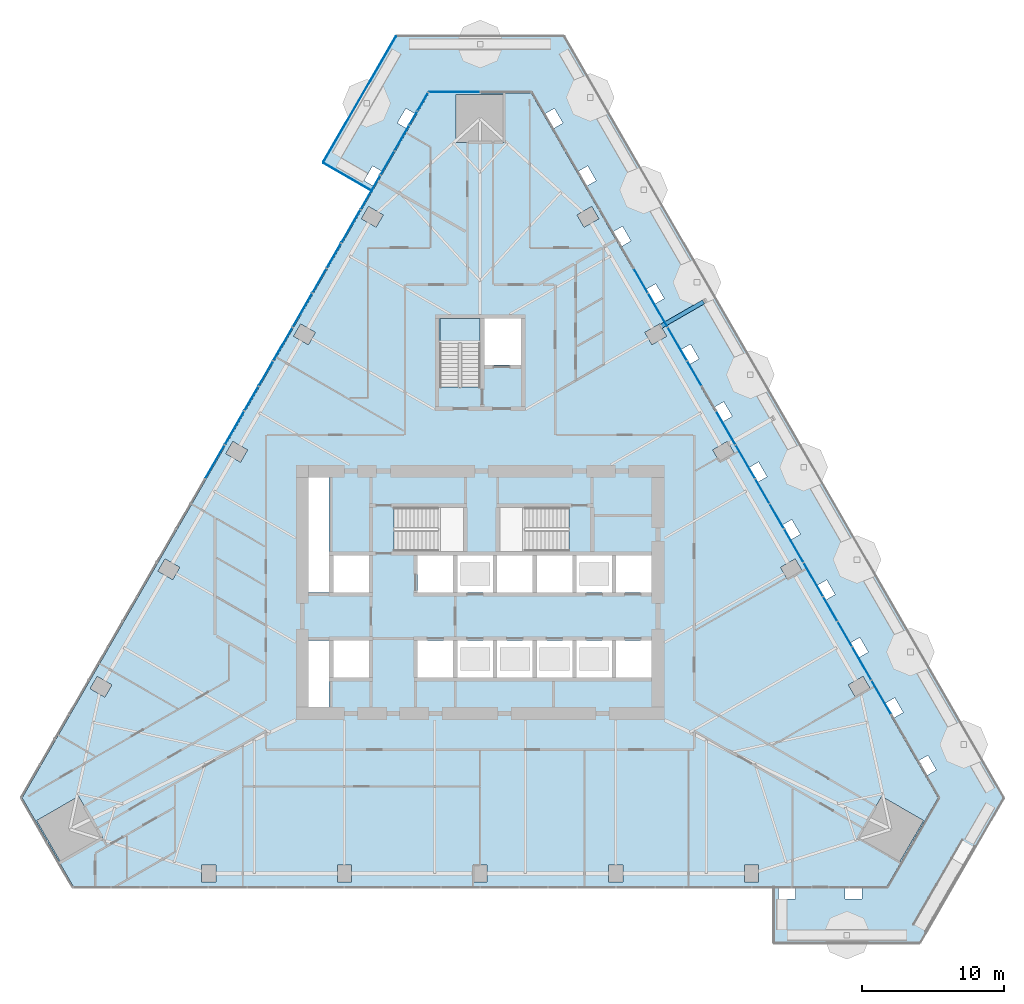
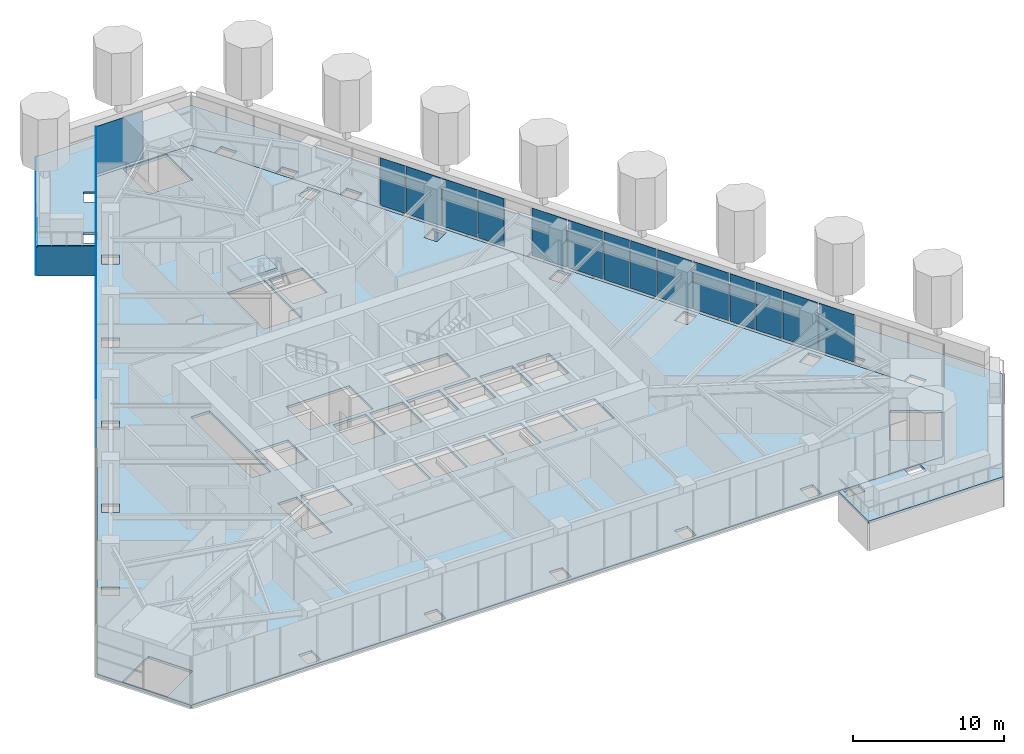
# One storey, part 15 of 26: 33 plates, 3 slabs, 4 elements without a shape of their own.
"""IFC4 building model written with IfcOpenShell, lengths in metres."""

from ifc_helpers import new_model, si_unit, direction, frame, origin, place, context, subcontext, project, spatial, polyline, outline, extrude, material, layer, layer_set, type_object, element, aggregate, save


model = new_model("IFC4")

# Units and contexts
model_context = context("Model", 3, precision=1e-05, world=origin(), true_north=direction((0.0, 1.0)))
body_context = subcontext(model_context, "Body", "Model", "MODEL_VIEW")
ifc_project = project(units=[si_unit("LENGTHUNIT", "METRE"), si_unit("AREAUNIT", "SQUARE_METRE"), si_unit("VOLUMEUNIT", "CUBIC_METRE"), si_unit("PLANEANGLEUNIT", "RADIAN"), si_unit("MASSUNIT", "GRAM", prefix="KILO")], contexts=[model_context])

# Site, building, storey
site_placement = place(None, origin())
site = spatial("IfcSite", under=ifc_project, at=site_placement, CompositionType="ELEMENT")
building_placement = place(site_placement, origin())
building = spatial("IfcBuilding", under=site, at=building_placement, Name="Firuza Gate Tower and Library", CompositionType="ELEMENT")
storey_placement = place(building_placement, frame((0.0, 0.0, 52.60009765625)))
storey = spatial("IfcBuildingStorey", under=building, at=storey_placement, Name="L11", CompositionType="ELEMENT", Elevation=52.60009765625)

# Slab
ifc_material_1 = material(Name="Concrete C40/50", Category="concrete")
ifc_layer_1 = layer(ifc_material_1, 0.199951171875)
ifc_layer_set_1 = layer_set([ifc_layer_1], Name="Composite floor slab 200 C40/50")
slab_type_1 = type_object("IfcSlabType", Name="Composite floor slab 200 C40/50", PredefinedType="FLOOR", material=ifc_layer_set_1)
placement_1 = place(storey_placement, frame((0.0, 0.0, -0.2001953125)))
element("IfcSlab", 1, at=placement_1, inside=storey, type_object=slab_type_1, Name="Floor slab L11", PredefinedType="FLOOR", context=body_context, shape_type="SweptSolid", body=[
    extrude(outline(polyline([(42.6982421875, 60.507568359375), (46.29833984375, 54.272216796875), (103.70166015625, 54.272216796875), (107.3017578125, 60.507568359375), (78.60009765625, 110.22021484375), (71.39990234375, 110.22021484375), (42.6982421875, 60.507568359375)]), holes=[polyline([(55.365478515625, 54.572265625), (55.365478515625, 55.772216796875), (56.365478515625, 55.772216796875), (56.365478515625, 54.572265625), (55.365478515625, 54.572265625)]), polyline([(64.932861328125, 54.572265625), (64.932861328125, 55.772216796875), (65.932861328125, 55.772216796875), (65.932861328125, 54.572265625), (64.932861328125, 54.572265625)]), polyline([(43.73486328125, 58.912109375), (46.679443359375, 60.612060546875), (48.37939453125, 57.66748046875), (45.434814453125, 55.967529296875), (43.73486328125, 58.912109375)]), polyline([(47.99169921875, 69.075927734375), (49.031005859375, 68.47607421875), (48.531005859375, 67.60986328125), (47.49169921875, 68.2099609375), (47.99169921875, 69.075927734375)]), polyline([(64.35009765625, 66.89990234375), (62.89990234375, 66.89990234375), (62.89990234375, 71.60009765625), (64.35009765625, 71.60009765625), (64.35009765625, 66.89990234375)]), polyline([(75.89990234375, 69.0), (73.39990234375, 69.0), (73.39990234375, 71.60009765625), (75.89990234375, 71.60009765625), (75.89990234375, 69.0)]), polyline([(73.10009765625, 69.0), (70.60009765625, 69.0), (70.60009765625, 71.60009765625), (73.10009765625, 71.60009765625), (73.10009765625, 69.0)]), polyline([(64.64990234375, 69.0), (64.64990234375, 71.60009765625), (67.14990234375, 71.60009765625), (67.14990234375, 69.0), (64.64990234375, 69.0)]), polyline([(64.64990234375, 75.0), (64.64990234375, 77.60009765625), (67.14990234375, 77.60009765625), (67.14990234375, 75.0), (64.64990234375, 75.0)]), polyline([(75.89990234375, 75.0), (73.39990234375, 75.0), (73.39990234375, 77.60009765625), (75.89990234375, 77.60009765625), (75.89990234375, 75.0)]), polyline([(73.10009765625, 75.0), (70.60009765625, 75.0), (70.60009765625, 77.60009765625), (73.10009765625, 77.60009765625), (73.10009765625, 75.0)]), polyline([(52.775390625, 77.361572265625), (53.814697265625, 76.761474609375), (53.314697265625, 75.8955078125), (52.275390625, 76.495361328125), (52.775390625, 77.361572265625)]), polyline([(62.89990234375, 75.0), (62.89990234375, 83.10009765625), (64.35009765625, 83.10009765625), (64.35009765625, 75.0), (62.89990234375, 75.0)]), polyline([(68.9404296875, 77.89990234375), (68.9404296875, 80.97998046875), (73.81005859375, 80.97998046875), (73.81005859375, 77.89990234375), (68.9404296875, 77.89990234375)]), polyline([(57.55908203125, 85.64697265625), (58.59814453125, 85.046875), (58.09814453125, 84.180908203125), (57.05908203125, 84.781005859375), (57.55908203125, 85.64697265625)]), polyline([(72.159912109375, 89.470458984375), (72.159912109375, 94.300048828125), (75.0, 94.300048828125), (75.0, 89.470458984375), (72.159912109375, 89.470458984375)]), polyline([(62.342529296875, 93.932373046875), (63.3818359375, 93.33251953125), (62.8818359375, 92.46630859375), (61.842529296875, 93.06640625), (62.342529296875, 93.932373046875)]), polyline([(68.16552734375, 101.617919921875), (67.66552734375, 100.751953125), (66.626220703125, 101.351806640625), (67.126220703125, 102.2177734375), (68.16552734375, 101.617919921875)]), polyline([(76.699951171875, 106.72021484375), (73.300048828125, 106.72021484375), (73.300048828125, 110.120361328125), (76.699951171875, 110.120361328125), (76.699951171875, 106.72021484375)]), polyline([(93.634521484375, 54.572265625), (93.634521484375, 55.772216796875), (94.634521484375, 55.772216796875), (94.634521484375, 54.572265625), (93.634521484375, 54.572265625)]), polyline([(74.5, 54.572265625), (74.5, 55.772216796875), (75.5, 55.772216796875), (75.5, 54.572265625), (74.5, 54.572265625)]), polyline([(84.067138671875, 54.572265625), (84.067138671875, 55.772216796875), (85.067138671875, 55.772216796875), (85.067138671875, 54.572265625), (84.067138671875, 54.572265625)]), polyline([(104.565185546875, 55.967529296875), (101.62060546875, 57.66748046875), (103.320556640625, 60.612060546875), (106.26513671875, 58.912109375), (104.565185546875, 55.967529296875)]), polyline([(102.50830078125, 68.2099609375), (101.468994140625, 67.60986328125), (100.968994140625, 68.47607421875), (102.00830078125, 69.075927734375), (102.50830078125, 68.2099609375)]), polyline([(78.699951171875, 69.0), (76.199951171875, 69.0), (76.199951171875, 71.60009765625), (78.699951171875, 71.60009765625), (78.699951171875, 69.0)]), polyline([(81.5, 69.0), (79.0, 69.0), (79.0, 71.60009765625), (81.5, 71.60009765625), (81.5, 69.0)]), polyline([(84.60009765625, 69.0), (84.60009765625, 71.60009765625), (87.10009765625, 71.60009765625), (87.10009765625, 69.0), (84.60009765625, 69.0)]), polyline([(81.800048828125, 69.0), (81.800048828125, 71.60009765625), (84.300048828125, 71.60009765625), (84.300048828125, 69.0), (81.800048828125, 69.0)]), polyline([(84.300048828125, 75.0), (81.800048828125, 75.0), (81.800048828125, 77.60009765625), (84.300048828125, 77.60009765625), (84.300048828125, 75.0)]), polyline([(87.10009765625, 75.0), (84.60009765625, 75.0), (84.60009765625, 77.60009765625), (87.10009765625, 77.60009765625), (87.10009765625, 75.0)]), polyline([(81.5, 75.0), (79.0, 75.0), (79.0, 77.60009765625), (81.5, 77.60009765625), (81.5, 75.0)]), polyline([(76.199951171875, 75.0), (76.199951171875, 77.60009765625), (78.699951171875, 77.60009765625), (78.699951171875, 75.0), (76.199951171875, 75.0)]), polyline([(96.685302734375, 75.8955078125), (96.185302734375, 76.761474609375), (97.224609375, 77.361572265625), (97.724609375, 76.495361328125), (96.685302734375, 75.8955078125)]), polyline([(81.259521484375, 77.89990234375), (76.389892578125, 77.89990234375), (76.389892578125, 80.97998046875), (81.259521484375, 80.97998046875), (81.259521484375, 77.89990234375)]), polyline([(92.94091796875, 84.781005859375), (91.90185546875, 84.180908203125), (91.40185546875, 85.046875), (92.44091796875, 85.64697265625), (92.94091796875, 84.781005859375)]), polyline([(77.89990234375, 91.050048828125), (75.300048828125, 91.050048828125), (75.300048828125, 94.300048828125), (77.89990234375, 94.300048828125), (77.89990234375, 91.050048828125)]), polyline([(87.1181640625, 92.46630859375), (86.6181640625, 93.33251953125), (87.657470703125, 93.932373046875), (88.157470703125, 93.06640625), (87.1181640625, 92.46630859375)]), polyline([(82.33447265625, 100.751953125), (81.83447265625, 101.617919921875), (82.873779296875, 102.2177734375), (83.373779296875, 101.351806640625), (82.33447265625, 100.751953125)])]), origin(), (0.0, 0.0, 1.0), 0.2001953125),
])

# Curtain wall, plates
ifc_material_2 = material(Name="Aluminium 6063-T6", Category="aluminium")
ifc_layer_2 = layer(ifc_material_2, 0.14990234375)
ifc_layer_set_2 = layer_set([ifc_layer_2], Name="Unitised curtain wall, offices")
curtain_wall_type_1 = type_object("IfcCurtainWallType", Name="Unitised curtain wall, offices", PredefinedType="NOTDEFINED", material=ifc_layer_set_2)
placement_2 = place(storey_placement, origin())
curtain_wall_1 = element("IfcCurtainWall", 2, at=placement_2, inside=storey, type_object=curtain_wall_type_1, Name="CW1 L11 E face", PredefinedType="NOTDEFINED")
ifc_material_3 = material(Name="Fritted glass", Category="glass")
ifc_layer_3 = layer(ifc_material_3, 0.030029296875)
ifc_layer_set_3 = layer_set([ifc_layer_3], Name="Fritted glass unit, offices")
plate_type_1 = type_object("IfcPlateType", Name="Fritted glass unit, offices", PredefinedType="CURTAIN_PANEL", material=ifc_layer_set_3)
plate_1_placement = place(storey_placement, frame((101.2275390625, 71.208251953125, 0.14990234375), z_axis=(0.866031967744, 0.499988630717, 0.0), x_axis=(-0.499988630717, 0.866031967744, 0.0)))
plate_1 = element("IfcPlate", 3, at=plate_1_placement, type_object=plate_type_1, Name="Glass unit", PredefinedType="CURTAIN_PANEL", context=body_context, shape_type="SweptSolid", body=[
    extrude(outline(polyline([(0.0, 0.0), (1.9849084152213954, 0.0), (1.9849084152213954, 3.850097656250001), (0.0, 3.850097656250001), (0.0, 0.0)])), origin(), (0.0, 0.0, -1.0), 0.030029296875),
])
plate_2_placement = place(storey_placement, frame((100.195068359375, 72.99658203125, 0.14990234375), z_axis=(0.866031827731, 0.499988873232, 0.0), x_axis=(-0.499988873232, 0.866031827731, 0.0)))
plate_2 = element("IfcPlate", 4, at=plate_2_placement, type_object=plate_type_1, Name="Glass unit", PredefinedType="CURTAIN_PANEL", context=body_context, shape_type="SweptSolid", body=[
    extrude(outline(polyline([(0.0, 0.0), (1.9302187354405753, 0.0), (1.9302187354405753, 3.850097656250001), (0.0, 3.850097656250001), (0.0, 0.0)])), origin(), (0.0, 0.0, -1.0), 0.030029296875),
])
plate_3_placement = place(storey_placement, frame((96.427490234375, 79.52197265625, 0.14990234375), z_axis=(0.866034692906, 0.499983910424, 0.0), x_axis=(-0.499983910424, 0.866034692906, 0.0)))
plate_3 = element("IfcPlate", 5, at=plate_3_placement, type_object=plate_type_1, Name="Glass unit", PredefinedType="CURTAIN_PANEL", context=body_context, shape_type="SweptSolid", body=[
    extrude(outline(polyline([(0.0, 0.0), (1.9668601668931607, 0.0), (1.9668601668931607, 3.85009765625), (0.0, 3.85009765625), (0.0, 0.0)])), origin(), (0.0, 0.0, -1.0), 0.030029296875),
])
plate_4_placement = place(storey_placement, frame((95.404296875, 81.294677734375, 0.14990234375), z_axis=(0.865974815039, 0.500087612042, 0.0), x_axis=(-0.500087612042, 0.865974815039, 0.0)))
plate_4 = element("IfcPlate", 6, at=plate_4_placement, type_object=plate_type_1, Name="Glass unit", PredefinedType="CURTAIN_PANEL", context=body_context, shape_type="SweptSolid", body=[
    extrude(outline(polyline([(0.0, 0.0), (1.948389064061364, 0.0), (1.948389064061364, 3.85009765625), (0.0, 3.85009765625), (0.0, 0.0)])), origin(), (0.0, 0.0, -1.0), 0.030029296875),
])
plate_5_placement = place(storey_placement, frame((90.61328125, 89.592529296875, 0.14990234375), z_axis=(0.866034692906, 0.499983910424, 0.0), x_axis=(-0.499983910424, 0.866034692906, 0.0)))
plate_5 = element("IfcPlate", 7, at=plate_5_placement, type_object=plate_type_1, Name="Glass unit", PredefinedType="CURTAIN_PANEL", context=body_context, shape_type="SweptSolid", body=[
    extrude(outline(polyline([(0.0, 0.0), (1.9668601668931607, 0.0), (1.9668601668931607, 3.85009765625), (0.0, 3.85009765625), (0.0, 0.0)])), origin(), (0.0, 0.0, -1.0), 0.030029296875),
])
plate_6_placement = place(storey_placement, frame((86.82763671875, 96.149658203125, 0.14990234375), z_axis=(0.866031827731, 0.499988873232, 0.0), x_axis=(-0.499988873232, 0.866031827731, 0.0)))
plate_6 = element("IfcPlate", 8, at=plate_6_placement, type_object=plate_type_1, Name="Glass unit", PredefinedType="CURTAIN_PANEL", context=body_context, shape_type="SweptSolid", body=[
    extrude(outline(polyline([(0.0, 0.0), (1.9302187354405753, 0.0), (1.9302187354405753, 3.850097656250001), (0.0, 3.850097656250001), (0.0, 0.0)])), origin(), (0.0, 0.0, -1.0), 0.030029296875),
])

curtain_wall_2 = element("IfcCurtainWall", 9, at=placement_2, inside=storey, type_object=curtain_wall_type_1, Name="CW1 L11 W face", PredefinedType="NOTDEFINED")
plate_7_placement = place(storey_placement, frame((69.969970703125, 107.923583984375, 0.14990234375), z_axis=(-0.866037453254, 0.499979129126, 0.0), x_axis=(-0.499979129126, -0.866037453254, 0.0)))
plate_7 = element("IfcPlate", 10, at=plate_7_placement, type_object=plate_type_1, Name="Glass unit", PredefinedType="CURTAIN_PANEL", context=body_context, shape_type="SweptSolid", body=[
    extrude(outline(polyline([(0.0, 0.0), (2.0035015984079734, 0.0), (2.0035015984079734, 1.885009765625), (0.0, 1.885009765625), (0.0, 0.0)])), origin(), (0.0, 0.0, -1.0), 0.030029296875),
])
plate_8_placement = place(storey_placement, frame((70.531494140625, 108.89599609375, 2.114990234375), z_axis=(-0.866019130722, 0.500010865105, 0.0), x_axis=(-0.500010865105, -0.866019130722, 0.0)))
plate_8 = element("IfcPlate", 11, at=plate_8_placement, type_object=plate_type_1, Name="Glass unit", PredefinedType="CURTAIN_PANEL", context=body_context, shape_type="SweptSolid", body=[
    extrude(outline(polyline([(0.0, 0.0), (3.1263969064885857, 0.0), (3.1263969064885857, 1.885009765625), (0.0, 1.885009765625), (0.0, 0.0)])), origin(), (0.0, 0.0, -1.0), 0.030029296875),
])
plate_9_placement = place(storey_placement, frame((68.92822265625, 106.119140625, 0.14990234375), z_axis=(-0.866026077102, 0.499998833779, 0.0), x_axis=(-0.499998833779, -0.866026077102, 0.0)))
plate_9 = element("IfcPlate", 12, at=plate_9_placement, type_object=plate_type_1, Name="Glass unit", PredefinedType="CURTAIN_PANEL", context=body_context, shape_type="SweptSolid", body=[
    extrude(outline(polyline([(0.0, 0.0), (1.9116255525071724, 0.0), (1.9116255525071724, 3.85009765625), (0.0, 3.85009765625), (0.0, 0.0)])), origin(), (0.0, 0.0, -1.0), 0.030029296875),
])
plate_10_placement = place(storey_placement, frame((65.169921875, 99.609619140625, 0.14990234375), z_axis=(-0.866031967744, 0.499988630717, 0.0), x_axis=(-0.499988630717, -0.866031967744, 0.0)))
plate_10 = element("IfcPlate", 13, at=plate_10_placement, type_object=plate_type_1, Name="Glass unit", PredefinedType="CURTAIN_PANEL", context=body_context, shape_type="SweptSolid", body=[
    extrude(outline(polyline([(0.0, 0.0), (1.9849084152213954, 0.0), (1.9849084152213954, 3.850097656250001), (0.0, 3.850097656250001), (0.0, 0.0)])), origin(), (0.0, 0.0, -1.0), 0.030029296875),
])
plate_11_placement = place(storey_placement, frame((64.137451171875, 97.8212890625, 0.14990234375), z_axis=(-0.866031827731, 0.499988873232, 0.0), x_axis=(-0.499988873232, -0.866031827731, 0.0)))
plate_11 = element("IfcPlate", 14, at=plate_11_placement, type_object=plate_type_1, Name="Glass unit", PredefinedType="CURTAIN_PANEL", context=body_context, shape_type="SweptSolid", body=[
    extrude(outline(polyline([(0.0, 0.0), (1.9302187354405753, 0.0), (1.9302187354405753, 3.850097656250001), (0.0, 3.850097656250001), (0.0, 0.0)])), origin(), (0.0, 0.0, -1.0), 0.030029296875),
])
plate_12_placement = place(storey_placement, frame((60.3701171875, 91.2958984375, 0.14990234375), z_axis=(-0.866034692906, 0.499983910424, 0.0), x_axis=(-0.499983910424, -0.866034692906, 0.0)))
plate_12 = element("IfcPlate", 15, at=plate_12_placement, type_object=plate_type_1, Name="Glass unit", PredefinedType="CURTAIN_PANEL", context=body_context, shape_type="SweptSolid", body=[
    extrude(outline(polyline([(0.0, 0.0), (1.9668601668931607, 0.0), (1.9668601668931607, 3.85009765625), (0.0, 3.85009765625), (0.0, 0.0)])), origin(), (0.0, 0.0, -1.0), 0.030029296875),
])
plate_13_placement = place(storey_placement, frame((59.3466796875, 89.523193359375, 0.14990234375), z_axis=(-0.865974815039, 0.500087612042, 0.0), x_axis=(-0.500087612042, -0.865974815039, 0.0)))
plate_13 = element("IfcPlate", 16, at=plate_13_placement, type_object=plate_type_1, Name="Glass unit", PredefinedType="CURTAIN_PANEL", context=body_context, shape_type="SweptSolid", body=[
    extrude(outline(polyline([(0.0, 0.0), (1.948389064061364, 0.0), (1.948389064061364, 3.85009765625), (0.0, 3.85009765625), (0.0, 0.0)])), origin(), (0.0, 0.0, -1.0), 0.030029296875),
])

# Curtain wall, plate
ifc_material_4 = material(Name="Aluminium 6063-T6", Category="aluminium")
ifc_layer_4 = layer(ifc_material_4, 0.14990234375)
ifc_layer_set_4 = layer_set([ifc_layer_4], Name="Corner curtain wall, chamfers")
curtain_wall_type_2 = type_object("IfcCurtainWallType", Name="Corner curtain wall, chamfers", PredefinedType="NOTDEFINED", material=ifc_layer_set_4)
curtain_wall_3 = element("IfcCurtainWall", 17, at=placement_2, inside=storey, type_object=curtain_wall_type_2, Name="CW4 L11 N corner", PredefinedType="NOTDEFINED")
ifc_material_5 = material(Name="Glazed ceramic tile")
ifc_layer_5 = layer(ifc_material_5, 0.030029296875)
ifc_layer_set_5 = layer_set([ifc_layer_5], Name="Opaque ceramic panel, corners")
plate_type_2 = type_object("IfcPlateType", Name="Opaque ceramic panel, corners", PredefinedType="CURTAIN_PANEL", material=ifc_layer_set_5)
plate_14_placement = place(storey_placement, frame((74.9599609375, 110.310302734375, 0.14990234375), z_axis=(0.0, 1.0, 0.0), x_axis=(-1.0, 0.0, 0.0)))
plate_14 = element("IfcPlate", 18, at=plate_14_placement, type_object=plate_type_2, Name="Opaque ceramic panel", PredefinedType="CURTAIN_PANEL", context=body_context, shape_type="SweptSolid", body=[
    extrude(outline(polyline([(0.0, 0.0), (3.563232421875, 0.0), (3.563232421875, 3.85009765625), (0.0, 3.85009765625), (0.0, 0.0)])), origin(), (0.0, 0.0, -1.0), 0.030029296875),
])
aggregate(curtain_wall_3, [plate_14])

# Plate
ifc_material_6 = material(Name="Glazed ceramic tile")
ifc_layer_6 = layer(ifc_material_6, 0.030029296875)
ifc_layer_set_6 = layer_set([ifc_layer_6], Name="Opaque ceramic panel, offices")
plate_type_3 = type_object("IfcPlateType", Name="Opaque ceramic panel, offices", PredefinedType="CURTAIN_PANEL", material=ifc_layer_set_6)
plate_15_placement = place(storey_placement, frame((103.989990234375, 66.423583984375, 0.14990234375), z_axis=(0.866007648794, 0.500030751284, 0.0), x_axis=(-0.500030751284, 0.866007648794, 0.0)))
plate_15 = element("IfcPlate", 19, at=plate_15_placement, type_object=plate_type_3, Name="Opaque ceramic panel", PredefinedType="CURTAIN_PANEL", context=body_context, shape_type="SweptSolid", body=[
    extrude(outline(polyline([(0.0, 0.0), (2.7190710513970524, 0.0), (2.7190710513970524, 3.850097656250001), (0.0, 3.850097656250001), (0.0, 0.0)])), origin(), (0.0, 0.0, -1.0), 0.030029296875),
])

plate_16_placement = place(storey_placement, frame((102.59033203125, 68.84765625, 0.14990234375), z_axis=(0.866042676242, 0.499970082033, 0.0), x_axis=(-0.499970082033, 0.866042676242, 0.0)))
plate_16 = element("IfcPlate", 20, at=plate_16_placement, type_object=plate_type_3, Name="Opaque ceramic panel", PredefinedType="CURTAIN_PANEL", context=body_context, shape_type="SweptSolid", body=[
    extrude(outline(polyline([(0.0, 0.0), (2.6456661184041277, 0.0), (2.6456661184041277, 3.85009765625), (0.0, 3.85009765625), (0.0, 0.0)])), origin(), (0.0, 0.0, -1.0), 0.030029296875),
])

plate_17_placement = place(storey_placement, frame((99.18994140625, 74.7373046875, 0.14990234375), z_axis=(0.866048610698, 0.499959802293, 0.0), x_axis=(-0.499959802293, 0.866048610698, 0.0)))
plate_17 = element("IfcPlate", 21, at=plate_17_placement, type_object=plate_type_3, Name="Opaque ceramic panel", PredefinedType="CURTAIN_PANEL", context=body_context, shape_type="SweptSolid", body=[
    extrude(outline(polyline([(0.0, 0.0), (2.70090073378314, 0.0), (2.70090073378314, 3.85009765625), (0.0, 3.85009765625), (0.0, 0.0)])), origin(), (0.0, 0.0, -1.0), 0.030029296875),
])

plate_18_placement = place(storey_placement, frame((97.799560546875, 77.1455078125, 0.14990234375), z_axis=(0.866023818221, 0.500002746266, 0.0), x_axis=(-0.500002746266, 0.866023818221, 0.0)))
plate_18 = element("IfcPlate", 22, at=plate_18_placement, type_object=plate_type_3, Name="Opaque ceramic panel", PredefinedType="CURTAIN_PANEL", context=body_context, shape_type="SweptSolid", body=[
    extrude(outline(polyline([(0.0, 0.0), (2.6640478676313015, 0.0), (2.6640478676313015, 3.85009765625), (0.0, 3.85009765625), (0.0, 0.0)])), origin(), (0.0, 0.0, -1.0), 0.030029296875),
])

plate_19_placement = place(storey_placement, frame((94.389892578125, 83.05126953125, 0.14990234375), z_axis=(0.866044628926, 0.4999666996, 0.0), x_axis=(-0.4999666996, 0.866044628926, 0.0)))
plate_19 = element("IfcPlate", 23, at=plate_19_placement, type_object=plate_type_3, Name="Opaque ceramic panel", PredefinedType="CURTAIN_PANEL", context=body_context, shape_type="SweptSolid", body=[
    extrude(outline(polyline([(0.0, 0.0), (2.682307550080811, 0.0), (2.682307550080811, 3.85009765625), (0.0, 3.85009765625), (0.0, 0.0)])), origin(), (0.0, 0.0, -1.0), 0.030029296875),
])

plate_20_placement = place(storey_placement, frame((93.0087890625, 85.443603515625, 0.14990234375), z_axis=(0.866005217449, 0.50003496213, 0.0), x_axis=(-0.50003496213, 0.866005217449, 0.0)))
plate_20 = element("IfcPlate", 24, at=plate_20_placement, type_object=plate_type_3, Name="Opaque ceramic panel", PredefinedType="CURTAIN_PANEL", context=body_context, shape_type="SweptSolid", body=[
    extrude(outline(polyline([(0.0, 0.0), (2.6824296205963476, 0.0), (2.6824296205963476, 3.85009765625), (0.0, 3.85009765625), (0.0, 0.0)])), origin(), (0.0, 0.0, -1.0), 0.030029296875),
])

plate_21_placement = place(storey_placement, frame((89.590087890625, 91.364990234375, 0.14990234375), z_axis=(0.866046726429, 0.499963066278, 0.0), x_axis=(-0.499963066278, 0.866046726429, 0.0)))
plate_21 = element("IfcPlate", 25, at=plate_21_placement, type_object=plate_type_3, Name="Opaque ceramic panel", PredefinedType="CURTAIN_PANEL", context=body_context, shape_type="SweptSolid", body=[
    extrude(outline(polyline([(0.0, 0.0), (2.66425930202407, 0.0), (2.66425930202407, 3.85009765625), (0.0, 3.85009765625), (0.0, 0.0)])), origin(), (0.0, 0.0, -1.0), 0.030029296875),
])

plate_22_placement = place(storey_placement, frame((88.218017578125, 93.741455078125, 0.14990234375), z_axis=(0.866026013603, 0.499998943762, 0.0), x_axis=(-0.499998943762, 0.866026013603, 0.0)))
plate_22 = element("IfcPlate", 26, at=plate_22_placement, type_object=plate_type_3, Name="Opaque ceramic panel", PredefinedType="CURTAIN_PANEL", context=body_context, shape_type="SweptSolid", body=[
    extrude(outline(polyline([(0.0, 0.0), (2.7006892988923705, 0.0), (2.7006892988923705, 3.85009765625), (0.0, 3.85009765625), (0.0, 0.0)])), origin(), (0.0, 0.0, -1.0), 0.030029296875),
])

aggregate(curtain_wall_1, [plate_15, plate_16, plate_1, plate_2, plate_17, plate_18, plate_3, plate_4, plate_19, plate_20, plate_5, plate_21, plate_22, plate_6])

plate_23_placement = place(storey_placement, frame((71.32373046875, 110.26806640625, 0.14990234375), z_axis=(-0.866021561589, 0.500006654819, 0.0), x_axis=(-0.500006654819, -0.866021561589, 0.0)))
plate_23 = element("IfcPlate", 27, at=plate_23_placement, type_object=plate_type_3, Name="Opaque ceramic panel", PredefinedType="CURTAIN_PANEL", context=body_context, shape_type="SweptSolid", body=[
    extrude(outline(polyline([(0.0, 0.0), (2.6274064364230245, 0.0), (2.6274064364230245, 1.8850097656250004), (0.0, 1.8850097656250004), (0.0, 0.0)])), origin(), (0.0, 0.0, -1.0), 0.030029296875),
])

plate_24_placement = place(storey_placement, frame((71.32373046875, 110.26806640625, 2.114990234375), z_axis=(-0.866007204314, 0.500031521082, 0.0), x_axis=(-0.500031521082, -0.866007204314, 0.0)))
plate_24 = element("IfcPlate", 28, at=plate_24_placement, type_object=plate_type_3, Name="Opaque ceramic panel", PredefinedType="CURTAIN_PANEL", context=body_context, shape_type="SweptSolid", body=[
    extrude(outline(polyline([(0.0, 0.0), (1.504299696942191, 0.0), (1.504299696942191, 1.885009765625), (0.0, 1.885009765625), (0.0, 0.0)])), origin(), (0.0, 0.0, -1.0), 0.030029296875),
])

plate_25_placement = place(storey_placement, frame((67.932373046875, 104.394287109375, 0.14990234375), z_axis=(-0.866046528967, 0.499963408325, 0.0), x_axis=(-0.499963408325, -0.866046528967, 0.0)))
plate_25 = element("IfcPlate", 29, at=plate_25_placement, type_object=plate_type_3, Name="Opaque ceramic panel", PredefinedType="CURTAIN_PANEL", context=body_context, shape_type="SweptSolid", body=[
    extrude(outline(polyline([(0.0, 0.0), (2.7189489817973063, 0.0), (2.7189489817973063, 3.85009765625), (0.0, 3.85009765625), (0.0, 0.0)])), origin(), (0.0, 0.0, -1.0), 0.030029296875),
])

plate_26_placement = place(storey_placement, frame((66.532958984375, 101.97021484375, 0.14990234375), z_axis=(-0.866002718738, 0.500039289594, 0.0), x_axis=(-0.500039289594, -0.866002718738, 0.0)))
plate_26 = element("IfcPlate", 30, at=plate_26_placement, type_object=plate_type_3, Name="Opaque ceramic panel", PredefinedType="CURTAIN_PANEL", context=body_context, shape_type="SweptSolid", body=[
    extrude(outline(polyline([(0.0, 0.0), (2.64578818986082, 0.0), (2.64578818986082, 3.85009765625), (0.0, 3.85009765625), (0.0, 0.0)])), origin(), (0.0, 0.0, -1.0), 0.030029296875),
])

plate_27_placement = place(storey_placement, frame((63.13232421875, 96.080322265625, 0.14990234375), z_axis=(-0.866026013603, 0.499998943762, 0.0), x_axis=(-0.499998943762, -0.866026013603, 0.0)))
plate_27 = element("IfcPlate", 31, at=plate_27_placement, type_object=plate_type_3, Name="Opaque ceramic panel", PredefinedType="CURTAIN_PANEL", context=body_context, shape_type="SweptSolid", body=[
    extrude(outline(polyline([(0.0, 0.0), (2.7006892988923705, 0.0), (2.7006892988923705, 3.85009765625), (0.0, 3.85009765625), (0.0, 0.0)])), origin(), (0.0, 0.0, -1.0), 0.030029296875),
])

plate_28_placement = place(storey_placement, frame((61.741943359375, 93.67236328125, 0.14990234375), z_axis=(-0.866046726429, 0.499963066278, 0.0), x_axis=(-0.499963066278, -0.866046726429, 0.0)))
plate_28 = element("IfcPlate", 32, at=plate_28_placement, type_object=plate_type_3, Name="Opaque ceramic panel", PredefinedType="CURTAIN_PANEL", context=body_context, shape_type="SweptSolid", body=[
    extrude(outline(polyline([(0.0, 0.0), (2.66425930202407, 0.0), (2.66425930202407, 3.85009765625), (0.0, 3.85009765625), (0.0, 0.0)])), origin(), (0.0, 0.0, -1.0), 0.030029296875),
])

plate_29_placement = place(storey_placement, frame((58.33251953125, 87.7666015625, 0.14990234375), z_axis=(-0.866005217449, 0.50003496213, 0.0), x_axis=(-0.50003496213, -0.866005217449, 0.0)))
plate_29 = element("IfcPlate", 33, at=plate_29_placement, type_object=plate_type_3, Name="Opaque ceramic panel", PredefinedType="CURTAIN_PANEL", context=body_context, shape_type="SweptSolid", body=[
    extrude(outline(polyline([(0.0, 0.0), (2.6824296205963476, 0.0), (2.6824296205963476, 3.85009765625), (0.0, 3.85009765625), (0.0, 0.0)])), origin(), (0.0, 0.0, -1.0), 0.030029296875),
])

plate_30_placement = place(storey_placement, frame((56.951171875, 85.374267578125, 0.14990234375), z_axis=(-0.866044628926, 0.4999666996, 0.0), x_axis=(-0.4999666996, -0.866044628926, 0.0)))
plate_30 = element("IfcPlate", 34, at=plate_30_placement, type_object=plate_type_3, Name="Opaque ceramic panel", PredefinedType="CURTAIN_PANEL", context=body_context, shape_type="SweptSolid", body=[
    extrude(outline(polyline([(0.0, 0.0), (2.682307550080811, 0.0), (2.682307550080811, 3.85009765625), (0.0, 3.85009765625), (0.0, 0.0)])), origin(), (0.0, 0.0, -1.0), 0.030029296875),
])

aggregate(curtain_wall_2, [plate_23, plate_7, plate_24, plate_8, plate_9, plate_25, plate_26, plate_10, plate_11, plate_27, plate_28, plate_12, plate_13, plate_29, plate_30])

# Slab
ifc_material_7 = material(Name="Concrete C40/50", Category="concrete")
ifc_layer_7 = layer(ifc_material_7, 0.199951171875)
ifc_layer_set_7 = layer_set([ifc_layer_7], Name="Planter tray slab 200 C40/50")
slab_type_2 = type_object("IfcSlabType", Name="Planter tray slab 200 C40/50", PredefinedType="FLOOR", material=ifc_layer_set_7)
element("IfcSlab", 35, at=placement_1, inside=storey, type_object=slab_type_2, Name="Planter tray L11 band 1", PredefinedType="FLOOR", context=body_context, shape_type="SweptSolid", body=[
    extrude(outline(polyline([(95.727783203125, 54.272216796875), (95.727783203125, 50.272216796875), (106.010986328125, 50.272216796875), (111.92041015625, 60.507568359375), (80.909423828125, 114.22021484375), (69.090576171875, 114.22021484375), (63.948974609375, 105.314697265625), (67.4130859375, 103.314697265625), (71.39990234375, 110.22021484375), (78.60009765625, 110.22021484375), (107.3017578125, 60.507568359375), (103.70166015625, 54.272216796875), (95.727783203125, 54.272216796875)]), holes=[polyline([(68.150146484375, 104.655029296875), (67.55029296875, 103.61572265625), (66.814208984375, 104.040771484375), (67.4140625, 105.080078125), (68.150146484375, 104.655029296875)]), polyline([(70.4931640625, 108.712890625), (69.89306640625, 107.673828125), (69.156982421875, 108.098876953125), (69.7568359375, 109.137939453125), (70.4931640625, 108.712890625)]), polyline([(100.742919921875, 53.390380859375), (100.742919921875, 54.240478515625), (101.94287109375, 54.240478515625), (101.94287109375, 53.390380859375), (100.742919921875, 53.390380859375)]), polyline([(96.05712890625, 53.390380859375), (96.05712890625, 54.240478515625), (97.257080078125, 54.240478515625), (97.257080078125, 53.390380859375), (96.05712890625, 53.390380859375)]), polyline([(107.185791015625, 62.4716796875), (106.44970703125, 62.046630859375), (105.849853515625, 63.0859375), (106.5859375, 63.5107421875), (107.185791015625, 62.4716796875)]), polyline([(104.10693359375, 66.1044921875), (103.5068359375, 67.143798828125), (104.2431640625, 67.56884765625), (104.843017578125, 66.529541015625), (104.10693359375, 66.1044921875)]), polyline([(101.649658203125, 70.3603515625), (101.0498046875, 71.399658203125), (101.785888671875, 71.82470703125), (102.385986328125, 70.785400390625), (101.649658203125, 70.3603515625)]), polyline([(100.04296875, 74.843505859375), (99.306884765625, 74.41845703125), (98.70703125, 75.45751953125), (99.443115234375, 75.882568359375), (100.04296875, 74.843505859375)]), polyline([(97.5859375, 79.099365234375), (96.849853515625, 78.67431640625), (96.249755859375, 79.713623046875), (96.98583984375, 80.138427734375), (97.5859375, 79.099365234375)]), polyline([(95.2431640625, 83.1572265625), (94.5068359375, 82.732177734375), (93.906982421875, 83.771484375), (94.64306640625, 84.196533203125), (95.2431640625, 83.1572265625)]), polyline([(92.785888671875, 87.4130859375), (92.0498046875, 86.988037109375), (91.44970703125, 88.02734375), (92.185791015625, 88.452392578125), (92.785888671875, 87.4130859375)]), polyline([(90.443115234375, 91.47119140625), (89.70703125, 91.046142578125), (89.10693359375, 92.085205078125), (89.843017578125, 92.51025390625), (90.443115234375, 91.47119140625)]), polyline([(87.98583984375, 95.72705078125), (87.249755859375, 95.302001953125), (86.649658203125, 96.34130859375), (87.385986328125, 96.76611328125), (87.98583984375, 95.72705078125)]), polyline([(85.64306640625, 99.784912109375), (84.906982421875, 99.35986328125), (84.306884765625, 100.399169921875), (85.04296875, 100.82421875), (85.64306640625, 99.784912109375)]), polyline([(82.44970703125, 103.61572265625), (81.849853515625, 104.655029296875), (82.5859375, 105.080078125), (83.185791015625, 104.040771484375), (82.44970703125, 103.61572265625)]), polyline([(80.10693359375, 107.673828125), (79.5068359375, 108.712890625), (80.2431640625, 109.137939453125), (80.843017578125, 108.098876953125), (80.10693359375, 107.673828125)])]), origin(), (0.0, 0.0, 1.0), 0.2001953125),
])

# Stair, slab
ifc_material_8 = material(Name="Concrete C35/45", Category="concrete")
stair_type = type_object("IfcStairType", Name="Exit stair ST14", PredefinedType="HALF_TURN_STAIR", material=ifc_material_8)
stair = element("IfcStair", 36, at=placement_2, inside=storey, type_object=stair_type, Name="L11 Stair ST3", PredefinedType="HALF_TURN_STAIR")
ifc_material_9 = material(Name="Concrete C35/45", Category="concrete")
ifc_layer_8 = layer(ifc_material_9, 0.199951171875)
ifc_layer_set_8 = layer_set([ifc_layer_8], Name="Stair landing 200")
slab_type_3 = type_object("IfcSlabType", Name="Stair landing 200", PredefinedType="LANDING", material=ifc_layer_set_8)
slab_3_placement = place(storey_placement, frame((0.0, 0.0, 1.89990234375)))
slab_3 = element("IfcSlab", 37, at=slab_3_placement, type_object=slab_type_3, Name="ST3 landing 1", PredefinedType="LANDING", context=body_context, shape_type="SweptSolid", body=[
    extrude(outline(polyline([(75.0, 92.550048828125), (75.0, 94.300048828125), (72.159912109375, 94.300048828125), (72.159912109375, 92.550048828125), (75.0, 92.550048828125)])), origin(), (0.0, 0.0, 1.0), 0.199951171875),
])
aggregate(stair, [slab_3])

# Plates
ifc_material_10 = material(Name="Steel S355", Category="steel")
ifc_layer_9 = layer(ifc_material_10, 0.300048828125)
ifc_layer_set_9 = layer_set([ifc_layer_9], Name="Tray bracket web 300 Steel S355")
plate_type_4 = type_object("IfcPlateType", Name="Tray bracket web 300 Steel S355", PredefinedType="SHEET", material=ifc_layer_set_9)
plate_31_placement = place(storey_placement, frame((87.712890625, 93.906982421875, -0.2001953125), z_axis=(-0.499837493736, 0.866119206493, 0.0), x_axis=(0.866119206493, 0.499837493736, 0.0)))
element("IfcPlate", 38, at=plate_31_placement, inside=storey, type_object=plate_type_4, Name="Tray bracket web L11 col:L10:E4", PredefinedType="SHEET", context=body_context, shape_type="SweptSolid", body=[
    extrude(outline(polyline([(0.0, 0.0), (3.4293372338163666, 0.0), (0.0, 1.333984375), (0.0, 0.0)])), origin(), (0.0, 0.0, -1.0), 0.300048828125),
])
ifc_material_11 = material(Name="Aluminium 6063-T6", Category="aluminium")
ifc_layer_10 = layer(ifc_material_11, 0.050048828125)
ifc_layer_set_10 = layer_set([ifc_layer_10], Name="Tray fascia panel 50")
plate_type_5 = type_object("IfcPlateType", Name="Tray fascia panel 50", PredefinedType="SHEET", material=ifc_layer_set_10)
plate_32_placement = place(storey_placement, frame((69.031982421875, 114.218994140625, -2.400146484375), z_axis=(-0.866034457237, 0.499984318633, 0.0), x_axis=(-0.499984318633, -0.866034457237, 0.0)))
element("IfcPlate", 39, at=plate_32_placement, inside=storey, type_object=plate_type_5, Name="Tray fascia L11 5", PredefinedType="SHEET", context=body_context, shape_type="SweptSolid", body=[
    extrude(outline(polyline([(0.0, 0.0), (10.222488573949096, 0.0), (10.222488573949096, 2.400146484375), (0.0, 2.400146484375), (0.0, 0.0)])), origin(), (0.0, 0.0, -1.0), 0.050048828125),
])
plate_33_placement = place(storey_placement, frame((63.949951171875, 105.256103515625, -2.400146484375), z_axis=(-0.500044270822, -0.865999842505, 0.0), x_axis=(0.865999842505, -0.500044270822, 0.0)))
element("IfcPlate", 40, at=plate_33_placement, inside=storey, type_object=plate_type_5, Name="Tray fascia L11 6", PredefinedType="SHEET", context=body_context, shape_type="SweptSolid", body=[
    extrude(outline(polyline([(0.0, 0.0), (3.9400808262643205, 0.0), (3.9400808262643205, 2.400146484375), (0.0, 2.400146484375), (0.0, 0.0)])), origin(), (0.0, 0.0, -1.0), 0.050048828125),
])

save(model, "model.ifc")
